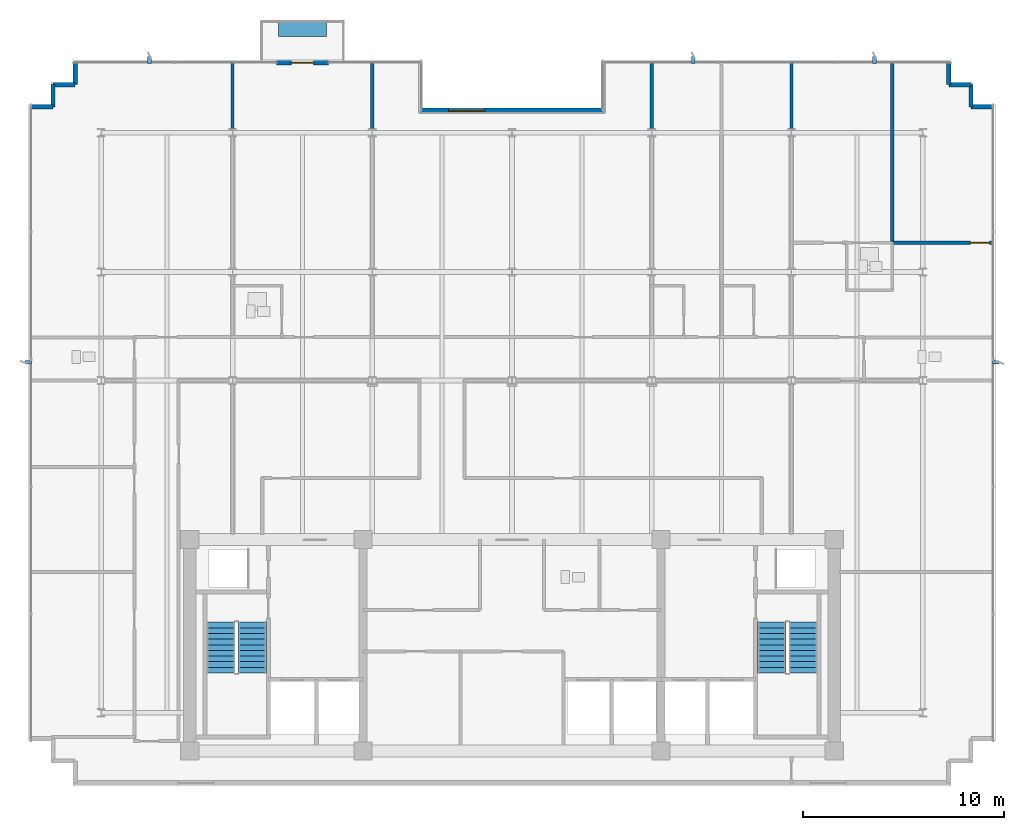
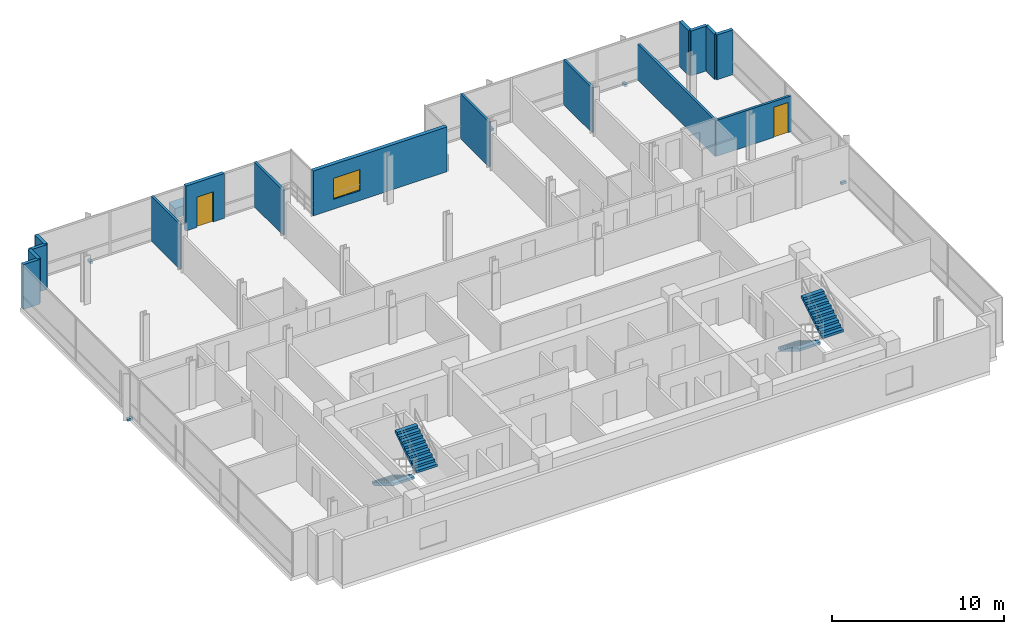
# One storey, part 14 of 17: 16 walls, 6 discrete accessories, 4 stair flights, 2 doors, 1 window, 3 openings, 2 elements without a shape of their own.
"""IFC4 building model written with IfcOpenShell, lengths in metres."""

from ifc_helpers import new_model, si_unit, direction, frame, frame_2d, origin, origin_2d, place, context, subcontext, project, spatial, polyline, rectangle, outline, extrude, material, layer, layer_set, type_object, element, fill, aggregate, save


model = new_model("IFC4")

# Units and contexts
model_context = context("Model", 3, precision=1e-05, world=origin(), true_north=direction((0.0, 1.0)))
body_context = subcontext(model_context, "Body", "Model", "MODEL_VIEW")
ifc_project = project(units=[si_unit("LENGTHUNIT", "METRE"), si_unit("AREAUNIT", "SQUARE_METRE"), si_unit("VOLUMEUNIT", "CUBIC_METRE"), si_unit("PLANEANGLEUNIT", "RADIAN"), si_unit("MASSUNIT", "GRAM", prefix="KILO")], contexts=[model_context])

# Site, building, storey
site_placement = place(None, origin())
site = spatial("IfcSite", under=ifc_project, at=site_placement, CompositionType="ELEMENT")
building_placement = place(site_placement, origin())
building = spatial("IfcBuilding", under=site, at=building_placement, Name="Solmavex Isthmus Hotel", CompositionType="ELEMENT")
storey_placement = place(building_placement, frame((0.0, 0.0, 266.10009765625)))
storey = spatial("IfcBuildingStorey", under=building, at=storey_placement, Name="L72", CompositionType="ELEMENT", Elevation=266.10009765625)

# Wall, opening, window
ifc_material_1 = material(Name="Precast Concrete C40/50", Category="concrete")
ifc_layer_1 = layer(ifc_material_1, 0.25)
ifc_layer_set_1 = layer_set([ifc_layer_1], Name="Precast Concrete C40/50")
wall_type_1 = type_object("IfcWallType", Name="EW-TWR-250", PredefinedType="STANDARD", material=ifc_layer_set_1)
wall_1_placement = place(storey_placement, frame((-4.5, 18.800048828125, 0.0), z_axis=(0.0, 0.0, 1.0), x_axis=(1.0, 0.0, 0.0)))
wall_1 = element("IfcWall", 1, at=wall_1_placement, inside=storey, type_object=wall_type_1, Name="Sky Garden Back Facade Wall L72", PredefinedType="STANDARD", context=body_context, shape_type="SweptSolid", body=[
    extrude(rectangle(XDim=9.0, YDim=0.25, at=frame_2d((4.5, 0.0))), origin(), (0.0, 0.0, 1.0), 3.18994140625),
])
opening_1_placement = place(wall_1_placement, frame((1.35009765625, 0.0, 0.699951171875)))
opening_1 = element("IfcOpeningElement", 2, at=opening_1_placement, cuts=wall_1, Name="Opening WN-02", PredefinedType="OPENING", context=body_context, shape_type="SweptSolid", body=[
    extrude(rectangle(XDim=1.800048828125, YDim=1.5, at=frame_2d((0.89990234375, 0.75))), frame((0.0, 0.135009765625, 0.0), z_axis=(0.0, -1.0, 0.0), x_axis=(1.0, 0.0, 0.0)), (0.0, 0.0, 1.0), 0.27001953125),
])
ifc_material_2 = material(Name="Clear low-E laminated glass", Category="glass")
window_type = type_object("IfcWindowType", Name="WIN-TWR-1800", PartitioningType="SINGLE_PANEL", PredefinedType="WINDOW", material=ifc_material_2)
window_placement = place(opening_1_placement, origin())
window = element("IfcWindow", 3, at=window_placement, inside=storey, type_object=window_type, Name="Sky Garden Overlook Window L72", OverallHeight=1.5, OverallWidth=1.800048828125, PartitioningType="SINGLE_PANEL", PredefinedType="WINDOW", context=body_context, shape_type="SweptSolid", body=[
    extrude(rectangle(XDim=1.800048828125, YDim=1.5, at=frame_2d((0.89990234375, 0.75))), frame((0.0, 0.030029296875, 0.0), z_axis=(0.0, -1.0, 0.0), x_axis=(1.0, 0.0, 0.0)), (0.0, 0.0, 1.0), 0.06005859375),
])
fill(opening_1, window)

# Wall, opening, door
wall_2_placement = place(storey_placement, frame((-11.7041015625, 21.179931640625, 0.0), z_axis=(0.0, 0.0, 1.0), x_axis=(1.0, 0.0, 0.0)))
wall_2 = element("IfcWall", 4, at=wall_2_placement, inside=storey, type_object=wall_type_1, Name="Exterior Balcony Door Wall L72-2", PredefinedType="STANDARD", context=body_context, shape_type="SweptSolid", body=[
    extrude(rectangle(XDim=2.60009765625, YDim=0.239990234375, at=frame_2d((1.300048828125, 0.0))), origin(), (0.0, 0.0, 1.0), 3.18994140625),
])
opening_2_placement = place(wall_2_placement, frame((0.75, 0.0, 0.0)))
opening_2 = element("IfcOpeningElement", 5, at=opening_2_placement, cuts=wall_2, Name="Opening ED-02", PredefinedType="OPENING", context=body_context, shape_type="SweptSolid", body=[
    extrude(rectangle(XDim=1.10009765625, YDim=2.14990234375, at=frame_2d((0.550048828125, 1.074951171875))), frame((0.0, 0.1298828125, 0.0), z_axis=(0.0, -1.0, 0.0), x_axis=(1.0, 0.0, 0.0)), (0.0, 0.0, 1.0), 0.260009765625),
])
ifc_material_3 = material(Name="Aluminium alloy 6063-T6", Category="aluminium")
door_type_1 = type_object("IfcDoorType", Name="EDR-BALC-1100", OperationType="NOTDEFINED", PredefinedType="DOOR", material=ifc_material_3)
door_1_placement = place(opening_2_placement, origin())
door_1 = element("IfcDoor", 6, at=door_1_placement, inside=storey, type_object=door_type_1, Name="Balcony & Terrace Glazed Door L72-2", OperationType="SINGLE_SWING_RIGHT", OverallHeight=2.14990234375, OverallWidth=1.10009765625, PredefinedType="DOOR", context=body_context, shape_type="SweptSolid", body=[
    extrude(rectangle(XDim=1.10009765625, YDim=2.14990234375, at=frame_2d((0.550048828125, 1.074951171875))), frame((0.0, 0.02490234375, 0.0), z_axis=(0.0, -1.0, 0.0), x_axis=(1.0, 0.0, 0.0)), (0.0, 0.0, 1.0), 0.050048828125),
])
fill(opening_2, door_1)

# Walls
wall_3_placement = place(storey_placement, frame((-23.889892578125, 18.989990234375, 0.0), z_axis=(0.0, 0.0, 1.0), x_axis=(1.0, 0.0, 0.0)))
element("IfcWall", 7, at=wall_3_placement, inside=storey, type_object=wall_type_1, Name="Serrated Corner Facade Panel L72-06", PredefinedType="STANDARD", context=body_context, shape_type="SweptSolid", body=[
    extrude(rectangle(XDim=1.099853515625, YDim=0.219970703125, at=frame_2d((0.5498046875, 0.0))), origin(), (0.0, 0.0, 1.0), 3.18994140625),
])
for number, where, z_axis, x_axis, name in (
    (8, (-22.7900390625, 18.989990234375, 0.0), (0.0, 0.0, 1.0), (0.0, 1.0, 0.0), "Serrated Corner Facade Panel L72-07"),
    (9, (-22.7900390625, 20.090087890625, 0.0), (0.0, 0.0, 1.0), (1.0, 0.0, 0.0), "Serrated Corner Facade Panel L72-08"),
):
    element("IfcWall", number, at=place(storey_placement, frame(where, z_axis=z_axis, x_axis=x_axis)), inside=storey, type_object=wall_type_1, Name=name, PredefinedType="STANDARD", context=body_context, shape_type="SweptSolid", body=[
        extrude(rectangle(XDim=1.10009765625, YDim=0.219970703125, at=frame_2d((0.550048828125, 0.0))), origin(), (0.0, 0.0, 1.0), 3.18994140625),
    ])
for number, where, z_axis, x_axis, name in (
    (10, (-21.68994140625, 20.090087890625, 0.0), (0.0, 0.0, 1.0), (0.0, 1.0, 0.0), "Serrated Corner Facade Panel L72-09"),
    (11, (21.68994140625, 21.18994140625, 0.0), (0.0, 0.0, 1.0), (0.0, -1.0, 0.0), "Serrated Corner Facade Panel L72-11"),
):
    element("IfcWall", number, at=place(storey_placement, frame(where, z_axis=z_axis, x_axis=x_axis)), inside=storey, type_object=wall_type_1, Name=name, PredefinedType="STANDARD", context=body_context, shape_type="SweptSolid", body=[
        extrude(rectangle(XDim=1.099853515625, YDim=0.219970703125, at=frame_2d((0.5498046875, 0.0))), origin(), (0.0, 0.0, 1.0), 3.18994140625),
    ])
for number, where, z_axis, x_axis, name in (
    (12, (21.68994140625, 20.090087890625, 0.0), (0.0, 0.0, 1.0), (1.0, 0.0, 0.0), "Serrated Corner Facade Panel L72-12"),
    (13, (22.7900390625, 20.090087890625, 0.0), (0.0, 0.0, 1.0), (0.0, -1.0, 0.0), "Serrated Corner Facade Panel L72-13"),
):
    element("IfcWall", number, at=place(storey_placement, frame(where, z_axis=z_axis, x_axis=x_axis)), inside=storey, type_object=wall_type_1, Name=name, PredefinedType="STANDARD", context=body_context, shape_type="SweptSolid", body=[
        extrude(rectangle(XDim=1.10009765625, YDim=0.219970703125, at=frame_2d((0.550048828125, 0.0))), origin(), (0.0, 0.0, 1.0), 3.18994140625),
    ])
wall_4_placement = place(storey_placement, frame((22.7900390625, 18.989990234375, 0.0), z_axis=(0.0, 0.0, 1.0), x_axis=(1.0, 0.0, 0.0)))
element("IfcWall", 14, at=wall_4_placement, inside=storey, type_object=wall_type_1, Name="Serrated Corner Facade Panel L72-14", PredefinedType="STANDARD", context=body_context, shape_type="SweptSolid", body=[
    extrude(rectangle(XDim=1.099853515625, YDim=0.219970703125, at=frame_2d((0.5498046875, 0.0))), origin(), (0.0, 0.0, 1.0), 3.18994140625),
])
ifc_material_4 = material(Name="Gypsum plasterboard lining", Category="gypsum")
ifc_layer_2 = layer(ifc_material_4, 0.159912109375)
ifc_layer_set_2 = layer_set([ifc_layer_2], Name="Gypsum plasterboard lining")
wall_type_2 = type_object("IfcWallType", Name="IW-COMP-160", PredefinedType="PARTITIONING", material=ifc_layer_set_2)
for number, where, z_axis, x_axis, name in (
    (15, (-13.8720703125, 21.219970703125, 0.0), (0.0, 0.0, 1.0), (0.0, -1.0, 0.0), "Interior Partition Wall W-L72-P035"),
    (16, (-6.93603515625, 21.219970703125, 0.0), (0.0, 0.0, 1.0), (0.0, -1.0, 0.0), "Interior Partition Wall W-L72-P041"),
    (17, (6.93603515625, 21.219970703125, 0.0), (0.0, 0.0, 1.0), (0.0, -1.0, 0.0), "Interior Partition Wall W-L72-P044"),
    (18, (13.8720703125, 21.219970703125, 0.0), (0.0, 0.0, 1.0), (0.0, -1.0, 0.0), "Interior Partition Wall W-L72-P054"),
):
    element("IfcWall", number, at=place(storey_placement, frame(where, z_axis=z_axis, x_axis=x_axis)), inside=storey, type_object=wall_type_2, Name=name, PredefinedType="PARTITIONING", context=body_context, shape_type="SweptSolid", body=[
        extrude(rectangle(XDim=3.344970703125, YDim=0.159912109375, at=frame_2d((1.67236328125, 0.0))), origin(), (0.0, 0.0, 1.0), 3.18994140625),
    ])

# Wall, opening, door
wall_5_placement = place(storey_placement, frame((18.8359375, 12.238037109375, 0.0), z_axis=(0.0, 0.0, 1.0), x_axis=(1.0, 0.0, 0.0)))
wall_5 = element("IfcWall", 19, at=wall_5_placement, inside=storey, type_object=wall_type_2, Name="Interior Partition Wall W-L72-P056", PredefinedType="PARTITIONING", context=body_context, shape_type="SweptSolid", body=[
    extrude(rectangle(XDim=5.083984375, YDim=0.159912109375, at=frame_2d((2.5419921875, 0.0))), origin(), (0.0, 0.0, 1.0), 2.557373046875),
])
opening_3_placement = place(wall_5_placement, frame((3.924072265625, 0.0, 0.0)))
opening_3 = element("IfcOpeningElement", 20, at=opening_3_placement, cuts=wall_5, Name="Opening ID-C095", PredefinedType="OPENING", context=body_context, shape_type="SweptSolid", body=[
    extrude(rectangle(XDim=0.949951171875, YDim=2.14990234375, at=frame_2d((0.47509765625, 1.074951171875))), frame((0.0, 0.08984375, 0.0), z_axis=(0.0, -1.0, 0.0), x_axis=(1.0, 0.0, 0.0)), (0.0, 0.0, 1.0), 0.179931640625),
])
ifc_material_5 = material(Name="Hardwood timber", Category="wood")
door_type_2 = type_object("IfcDoorType", Name="IDR-FD60-0950", OperationType="NOTDEFINED", PredefinedType="DOOR", material=ifc_material_5)
door_2_placement = place(opening_3_placement, origin())
door_2 = element("IfcDoor", 21, at=door_2_placement, inside=storey, type_object=door_type_2, Name="Ambassador Panorama Suite Panorama Sitting Study Door L72-11", OperationType="SINGLE_SWING_LEFT", OverallHeight=2.14990234375, OverallWidth=0.949951171875, PredefinedType="DOOR", context=body_context, shape_type="SweptSolid", body=[
    extrude(rectangle(XDim=0.949951171875, YDim=2.14990234375, at=frame_2d((0.47509765625, 1.074951171875))), frame((0.0, 0.02490234375, 0.0), z_axis=(0.0, -1.0, 0.0), x_axis=(1.0, 0.0, 0.0)), (0.0, 0.0, 1.0), 0.050048828125),
])
fill(opening_3, door_2)

# Wall
wall_6_placement = place(storey_placement, frame((18.8759765625, 21.219970703125, 0.0), z_axis=(0.0, 0.0, 1.0), x_axis=(0.0, -1.0, 0.0)))
element("IfcWall", 22, at=wall_6_placement, inside=storey, type_object=wall_type_2, Name="Interior Partition Wall W-L72-P061", PredefinedType="PARTITIONING", context=body_context, shape_type="SweptSolid", body=[
    extrude(rectangle(XDim=9.02197265625, YDim=0.159912109375, at=frame_2d((4.510986328125, 0.0))), origin(), (0.0, 0.0, 1.0), 2.557373046875),
])

# Stair, stair flights
ifc_material_6 = material(Name="Concrete C40/50", Category="concrete")
stair_type_1 = type_object("IfcStairType", Name="STR-ST-1", PredefinedType="HALF_TURN_STAIR", material=ifc_material_6)
stair_1_placement = place(storey_placement, origin())
stair_1 = element("IfcStair", 23, at=stair_1_placement, inside=storey, type_object=stair_type_1, Name="L72 Protected Exit Stair ST-1", PredefinedType="HALF_TURN_STAIR")
stair_flight_type_1 = type_object("IfcStairFlightType", Name="SFL-ST-1", PredefinedType="STRAIGHT", material=ifc_material_6)
stair_flight_1_placement = place(storey_placement, frame((-14.449951171875, -6.60009765625, 0.0), z_axis=(0.0, 0.0, 1.0), x_axis=(0.0, -1.0, 0.0)))
stair_flight_1 = element("IfcStairFlight", 24, at=stair_flight_1_placement, type_object=stair_flight_type_1, Name="ST-1 flight 1", NumberOfRisers=10, NumberOfTreads=9, PredefinedType="STRAIGHT", RiserHeight=0.1725, TreadLength=0.28, context=body_context, shape_type="SweptSolid", body=[
    extrude(outline(polyline([(0.0, 0.0), (0.0, 0.172607421875), (0.280029296875, 0.172607421875), (0.280029296875, 0.344970703125), (0.56005859375, 0.344970703125), (0.56005859375, 0.517578125), (0.840087890625, 0.517578125), (0.840087890625, 0.68994140625), (1.1201171875, 0.68994140625), (1.1201171875, 0.862548828125), (1.39990234375, 0.862548828125), (1.39990234375, 1.034912109375), (1.679931640625, 1.034912109375), (1.679931640625, 1.20751953125), (1.9599609375, 1.20751953125), (1.9599609375, 1.3798828125), (2.239990234375, 1.3798828125), (2.239990234375, 1.552490234375), (2.52001953125, 1.552490234375), (2.52001953125, 1.72509765625), (2.52001953125, 1.37646484375), (0.285888671875, 0.0), (0.0, 0.0)])), frame((0.0, 0.699951171875, 0.0), z_axis=(0.0, -1.0, 0.0), x_axis=(1.0, 0.0, 0.0)), (0.0, 0.0, 1.0), 1.39990234375),
])
stair_flight_2_placement = place(storey_placement, frame((-12.89990234375, -9.1201171875, 1.724853515625), z_axis=(0.0, 0.0, 1.0), x_axis=(0.0, 1.0, 0.0)))
stair_flight_2 = element("IfcStairFlight", 25, at=stair_flight_2_placement, type_object=stair_flight_type_1, Name="ST-1 flight 2", NumberOfRisers=10, NumberOfTreads=9, PredefinedType="STRAIGHT", RiserHeight=0.1725, TreadLength=0.28, context=body_context, shape_type="SweptSolid", body=[
    extrude(outline(polyline([(0.0, 0.0), (0.0, 0.172607421875), (0.280029296875, 0.172607421875), (0.280029296875, 0.344970703125), (0.56005859375, 0.344970703125), (0.56005859375, 0.517578125), (0.840087890625, 0.517578125), (0.840087890625, 0.68994140625), (1.1201171875, 0.68994140625), (1.1201171875, 0.862548828125), (1.39990234375, 0.862548828125), (1.39990234375, 1.034912109375), (1.679931640625, 1.034912109375), (1.679931640625, 1.20751953125), (1.9599609375, 1.20751953125), (1.9599609375, 1.3798828125), (2.239990234375, 1.3798828125), (2.239990234375, 1.552490234375), (2.52001953125, 1.552490234375), (2.52001953125, 1.72509765625), (2.52001953125, 1.37646484375), (0.285888671875, 0.0), (0.0, 0.0)])), frame((0.0, 0.699951171875, 0.0), z_axis=(0.0, -1.0, 0.0), x_axis=(1.0, 0.0, 0.0)), (0.0, 0.0, 1.0), 1.39990234375),
])
aggregate(stair_1, [stair_flight_1, stair_flight_2])

stair_type_2 = type_object("IfcStairType", Name="STR-ST-2", PredefinedType="HALF_TURN_STAIR", material=ifc_material_6)
stair_2_placement = place(storey_placement, origin())
stair_2 = element("IfcStair", 26, at=stair_2_placement, inside=storey, type_object=stair_type_2, Name="L72 Protected Exit Stair ST-2", PredefinedType="HALF_TURN_STAIR")
stair_flight_type_2 = type_object("IfcStairFlightType", Name="SFL-ST-2", PredefinedType="STRAIGHT", material=ifc_material_6)
stair_flight_3_placement = place(storey_placement, frame((12.89990234375, -6.60009765625, 0.0), z_axis=(0.0, 0.0, 1.0), x_axis=(0.0, -1.0, 0.0)))
stair_flight_3 = element("IfcStairFlight", 27, at=stair_flight_3_placement, type_object=stair_flight_type_2, Name="ST-2 flight 1", NumberOfRisers=10, NumberOfTreads=9, PredefinedType="STRAIGHT", RiserHeight=0.1725, TreadLength=0.28, context=body_context, shape_type="SweptSolid", body=[
    extrude(outline(polyline([(0.0, 0.0), (0.0, 0.172607421875), (0.280029296875, 0.172607421875), (0.280029296875, 0.344970703125), (0.56005859375, 0.344970703125), (0.56005859375, 0.517578125), (0.840087890625, 0.517578125), (0.840087890625, 0.68994140625), (1.1201171875, 0.68994140625), (1.1201171875, 0.862548828125), (1.39990234375, 0.862548828125), (1.39990234375, 1.034912109375), (1.679931640625, 1.034912109375), (1.679931640625, 1.20751953125), (1.9599609375, 1.20751953125), (1.9599609375, 1.3798828125), (2.239990234375, 1.3798828125), (2.239990234375, 1.552490234375), (2.52001953125, 1.552490234375), (2.52001953125, 1.72509765625), (2.52001953125, 1.37646484375), (0.285888671875, 0.0), (0.0, 0.0)])), frame((0.0, 0.699951171875, 0.0), z_axis=(0.0, -1.0, 0.0), x_axis=(1.0, 0.0, 0.0)), (0.0, 0.0, 1.0), 1.39990234375),
])
stair_flight_4_placement = place(storey_placement, frame((14.449951171875, -9.1201171875, 1.724853515625), z_axis=(0.0, 0.0, 1.0), x_axis=(0.0, 1.0, 0.0)))
stair_flight_4 = element("IfcStairFlight", 28, at=stair_flight_4_placement, type_object=stair_flight_type_2, Name="ST-2 flight 2", NumberOfRisers=10, NumberOfTreads=9, PredefinedType="STRAIGHT", RiserHeight=0.1725, TreadLength=0.28, context=body_context, shape_type="SweptSolid", body=[
    extrude(outline(polyline([(0.0, 0.0), (0.0, 0.172607421875), (0.280029296875, 0.172607421875), (0.280029296875, 0.344970703125), (0.56005859375, 0.344970703125), (0.56005859375, 0.517578125), (0.840087890625, 0.517578125), (0.840087890625, 0.68994140625), (1.1201171875, 0.68994140625), (1.1201171875, 0.862548828125), (1.39990234375, 0.862548828125), (1.39990234375, 1.034912109375), (1.679931640625, 1.034912109375), (1.679931640625, 1.20751953125), (1.9599609375, 1.20751953125), (1.9599609375, 1.3798828125), (2.239990234375, 1.3798828125), (2.239990234375, 1.552490234375), (2.52001953125, 1.552490234375), (2.52001953125, 1.72509765625), (2.52001953125, 1.37646484375), (0.285888671875, 0.0), (0.0, 0.0)])), frame((0.0, 0.699951171875, 0.0), z_axis=(0.0, -1.0, 0.0), x_axis=(1.0, 0.0, 0.0)), (0.0, 0.0, 1.0), 1.39990234375),
])
aggregate(stair_2, [stair_flight_3, stair_flight_4])

# Discrete accessories
ifc_material_7 = material(Name="Steel ASTM A572 Grade 50", Category="steel")
discrete_accessory_type_1 = type_object("IfcDiscreteAccessoryType", Name="ACC-BRK-FIN", PredefinedType="BRACKET", material=ifc_material_7)
for number, where, z_axis, x_axis, name in (
    (29, (-18.0, 21.320068359375, -0.169921875), (0.0, 0.0, 1.0), (0.0, 1.0, 0.0), "Facade Fin Support Bracket L72-N1"),
    (30, (9.0, 21.320068359375, -0.169921875), (0.0, 0.0, 1.0), (0.0, 1.0, 0.0), "Facade Fin Support Bracket L72-N2"),
    (31, (18.0, 21.320068359375, -0.169921875), (0.0, 0.0, 1.0), (0.0, 1.0, 0.0), "Facade Fin Support Bracket L72-N3"),
    (32, (-24.02001953125, 6.300048828125, -0.169921875), (0.0, 0.0, 1.0), (-1.0, 0.0, 0.0), "Facade Fin Support Bracket L72-W1"),
    (33, (24.02001953125, 6.300048828125, -0.169921875), (0.0, 0.0, 1.0), (1.0, 0.0, 0.0), "Facade Fin Support Bracket L72-E1"),
):
    element("IfcDiscreteAccessory", number, at=place(storey_placement, frame(where, z_axis=z_axis, x_axis=x_axis)), inside=storey, type_object=discrete_accessory_type_1, Name=name, PredefinedType="BRACKET", context=body_context, shape_type="SweptSolid", body=[
        extrude(rectangle(XDim=0.340087890625, YDim=0.179931640625, at=origin_2d()), origin(), (0.0, 0.0, 1.0), 0.159912109375),
    ])
discrete_accessory_type_2 = type_object("IfcDiscreteAccessoryType", Name="ACC-PLN-BALC", PredefinedType="USERDEFINED", material=ifc_material_1)
discrete_accessory_placement = place(storey_placement, frame((-10.404052734375, 22.85009765625, 0.0), z_axis=(0.0, 0.0, 1.0), x_axis=(1.0, 0.0, 0.0)))
element("IfcDiscreteAccessory", 34, at=discrete_accessory_placement, inside=storey, type_object=discrete_accessory_type_2, Name="Tree-Balcony Architectural Planter L72-B1", ObjectType="PLANTER", PredefinedType="USERDEFINED", context=body_context, shape_type="SweptSolid", body=[
    extrude(rectangle(XDim=2.39990234375, YDim=0.75, at=origin_2d()), origin(), (0.0, 0.0, 1.0), 0.699951171875),
])

save(model, "model.ifc")
